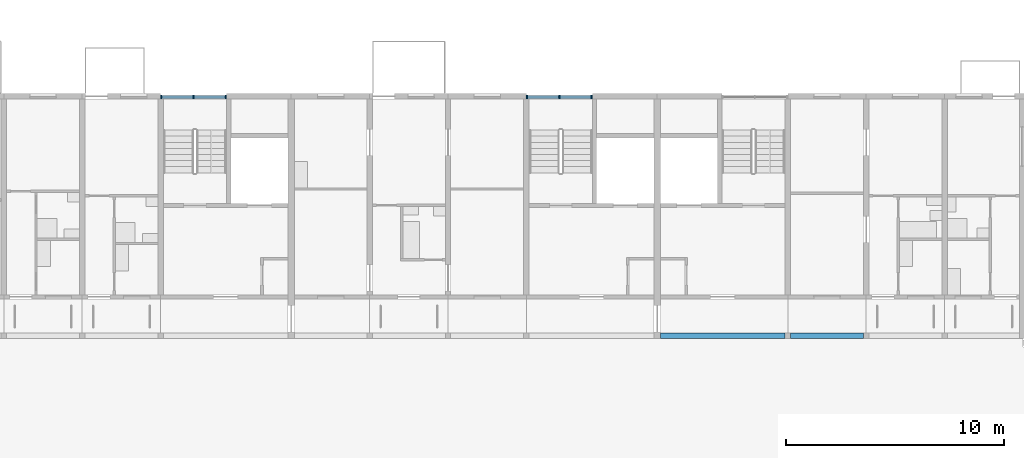
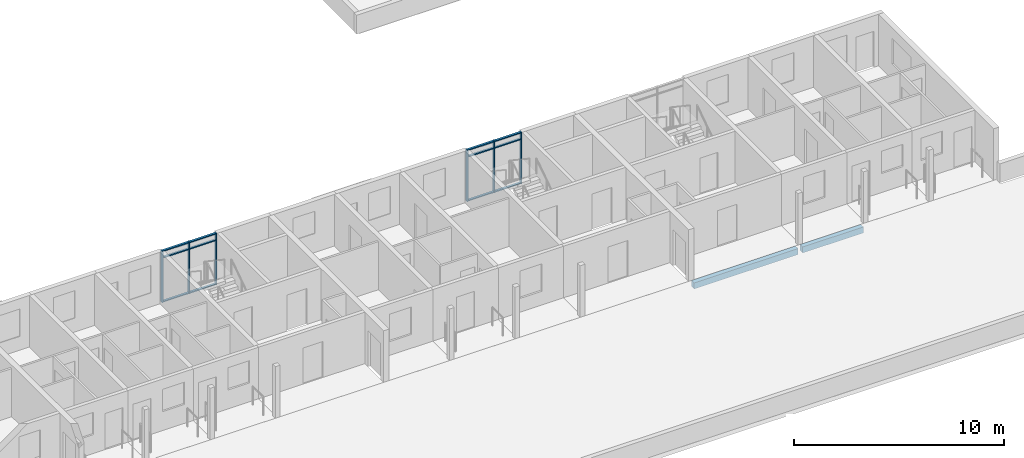
# One storey, part 13 of 115: 18 members, 2 beams, 2 elements without a shape of their own.
"""IFC4 building model written with IfcOpenShell, lengths in metres."""

from ifc_helpers import new_model, si_unit, direction, frame, origin, origin_2d, place, context, subcontext, project, spatial, rectangle, extrude, material, material_profile, profile_set, type_object, element, aggregate, save


model = new_model("IFC4")

# Units and contexts
model_context = context("Model", 3, precision=1e-05, world=origin(), true_north=direction((0.0, 1.0)))
body_context = subcontext(model_context, "Body", "Model", "MODEL_VIEW")
ifc_project = project(units=[si_unit("LENGTHUNIT", "METRE"), si_unit("AREAUNIT", "SQUARE_METRE"), si_unit("VOLUMEUNIT", "CUBIC_METRE"), si_unit("PLANEANGLEUNIT", "RADIAN"), si_unit("MASSUNIT", "GRAM", prefix="KILO")], contexts=[model_context])

# Site, building, storey
site_placement = place(None, origin())
site = spatial("IfcSite", under=ifc_project, at=site_placement, CompositionType="ELEMENT")
building_placement = place(site_placement, origin())
building = spatial("IfcBuilding", under=site, at=building_placement, Name="Ridgestep Commons", CompositionType="ELEMENT")
storey_placement = place(building_placement, frame((0.0, 0.0, 6.0)))
storey = spatial("IfcBuildingStorey", under=building, at=storey_placement, Name="L02", CompositionType="ELEMENT", Elevation=6.0)

# Beams
ifc_material_1 = material(Name="Precast concrete C40/50", Category="concrete")
ifc_material_profile_1 = material_profile(ifc_material_1, rectangle(XDim=0.25, YDim=0.35009765625, at=origin_2d()), Name="PC 250x350")
ifc_profile_set_1 = profile_set([ifc_material_profile_1], Name="Precast concrete C40/50")
beam_type = type_object("IfcBeamType", Name="Loggia edge beam 250 x 350", PredefinedType="SPANDREL", material=ifc_profile_set_1)
beam_1_placement = place(storey_placement, frame((96.14990234375, 11.875, -0.375), z_axis=(1.0, 0.0, 0.0), x_axis=(0.0, 1.0, 0.0)))
element("IfcBeam", 1, at=beam_1_placement, inside=storey, type_object=beam_type, Name="Loggia edge beam A6C L02", PredefinedType="SPANDREL", context=body_context, shape_type="SweptSolid", body=[
    extrude(rectangle(XDim=0.25, YDim=0.35009765625, at=origin_2d()), origin(), (0.0, 0.0, 1.0), 5.72509765625),
])
beam_2_placement = place(storey_placement, frame((102.125, 11.875, -0.375), z_axis=(1.0, 0.0, 0.0), x_axis=(0.0, 1.0, 0.0)))
element("IfcBeam", 2, at=beam_2_placement, inside=storey, type_object=beam_type, Name="Loggia edge beam A6T3 L02", PredefinedType="SPANDREL", context=body_context, shape_type="SweptSolid", body=[
    extrude(rectangle(XDim=0.25, YDim=0.35009765625, at=origin_2d()), origin(), (0.0, 0.0, 1.0), 3.35009765625),
])

# Curtain wall, members
ifc_material_2 = material(Name="Aluminium 6063-T6 and glass", Category="aluminium")
curtain_wall_type = type_object("IfcCurtainWallType", Name="Curtain wall stair strip", PredefinedType="NOTDEFINED", material=ifc_material_2)
curtain_wall_1_placement = place(storey_placement, origin())
curtain_wall_1 = element("IfcCurtainWall", 3, at=curtain_wall_1_placement, inside=storey, type_object=curtain_wall_type, Name="Curtain wall A4C level 02", PredefinedType="NOTDEFINED")
ifc_material_3 = material(Name="Aluminium 6063-T6", Category="aluminium")
ifc_material_profile_2 = material_profile(ifc_material_3, rectangle(XDim=0.159912109375, YDim=0.06005859375, at=origin_2d()), Name="Mullion 60 x 160")
ifc_profile_set_2 = profile_set([ifc_material_profile_2], Name="Aluminium 6063-T6")
member_type_1 = type_object("IfcMemberType", Name="Mullion 60 x 160", PredefinedType="MULLION", material=ifc_profile_set_2)
member_1_placement = place(storey_placement, frame((73.22998046875, 22.830078125, 0.0), z_axis=(0.0, 0.0, 1.0), x_axis=(0.0, 1.0, 0.0)))
member_1 = element("IfcMember", 4, at=member_1_placement, type_object=member_type_1, Name="CW1 mullion 1", PredefinedType="MULLION", context=body_context, shape_type="SweptSolid", body=[
    extrude(rectangle(XDim=0.159912109375, YDim=0.06005859375, at=origin_2d()), origin(), (0.0, 0.0, 1.0), 3.0),
])
member_2_placement = place(storey_placement, frame((74.71240234375, 22.830078125, 0.0), z_axis=(0.0, 0.0, 1.0), x_axis=(0.0, 1.0, 0.0)))
member_2 = element("IfcMember", 5, at=member_2_placement, type_object=member_type_1, Name="CW1 mullion 2", PredefinedType="MULLION", context=body_context, shape_type="SweptSolid", body=[
    extrude(rectangle(XDim=0.159912109375, YDim=0.06005859375, at=origin_2d()), origin(), (0.0, 0.0, 1.0), 3.0),
])
member_3_placement = place(storey_placement, frame((76.195068359375, 22.830078125, 0.0), z_axis=(0.0, 0.0, 1.0), x_axis=(0.0, 1.0, 0.0)))
member_3 = element("IfcMember", 6, at=member_3_placement, type_object=member_type_1, Name="CW1 mullion 3", PredefinedType="MULLION", context=body_context, shape_type="SweptSolid", body=[
    extrude(rectangle(XDim=0.159912109375, YDim=0.06005859375, at=origin_2d()), origin(), (0.0, 0.0, 1.0), 3.0),
])

curtain_wall_2_placement = place(storey_placement, origin())
curtain_wall_2 = element("IfcCurtainWall", 7, at=curtain_wall_2_placement, inside=storey, type_object=curtain_wall_type, Name="Curtain wall A5C level 02", PredefinedType="NOTDEFINED")
member_4_placement = place(storey_placement, frame((90.030029296875, 22.830078125, 0.0), z_axis=(0.0, 0.0, 1.0), x_axis=(0.0, 1.0, 0.0)))
member_4 = element("IfcMember", 8, at=member_4_placement, type_object=member_type_1, Name="CW1 mullion 1", PredefinedType="MULLION", context=body_context, shape_type="SweptSolid", body=[
    extrude(rectangle(XDim=0.159912109375, YDim=0.06005859375, at=origin_2d()), origin(), (0.0, 0.0, 1.0), 3.0),
])
member_5_placement = place(storey_placement, frame((91.512451171875, 22.830078125, 0.0), z_axis=(0.0, 0.0, 1.0), x_axis=(0.0, 1.0, 0.0)))
member_5 = element("IfcMember", 9, at=member_5_placement, type_object=member_type_1, Name="CW1 mullion 2", PredefinedType="MULLION", context=body_context, shape_type="SweptSolid", body=[
    extrude(rectangle(XDim=0.159912109375, YDim=0.06005859375, at=origin_2d()), origin(), (0.0, 0.0, 1.0), 3.0),
])
member_6_placement = place(storey_placement, frame((92.9951171875, 22.830078125, 0.0), z_axis=(0.0, 0.0, 1.0), x_axis=(0.0, 1.0, 0.0)))
member_6 = element("IfcMember", 10, at=member_6_placement, type_object=member_type_1, Name="CW1 mullion 3", PredefinedType="MULLION", context=body_context, shape_type="SweptSolid", body=[
    extrude(rectangle(XDim=0.159912109375, YDim=0.06005859375, at=origin_2d()), origin(), (0.0, 0.0, 1.0), 3.0),
])

# Member
ifc_material_4 = material(Name="Aluminium 6063-T6", Category="aluminium")
ifc_material_profile_3 = material_profile(ifc_material_4, rectangle(XDim=0.1201171875, YDim=0.06005859375, at=origin_2d()), Name="Transom 60 x 120")
ifc_profile_set_3 = profile_set([ifc_material_profile_3], Name="Aluminium 6063-T6")
member_type_2 = type_object("IfcMemberType", Name="Transom 60 x 120", PredefinedType="USERDEFINED", material=ifc_profile_set_3)
member_7_placement = place(storey_placement, frame((73.260009765625, 22.830078125, 0.030029296875), z_axis=(1.0, 0.0, 0.0), x_axis=(0.0, 1.0, 0.0)))
member_7 = element("IfcMember", 11, at=member_7_placement, type_object=member_type_2, Name="CW1 transom 1.1", ObjectType="TRANSOM", PredefinedType="USERDEFINED", context=body_context, shape_type="SweptSolid", body=[
    extrude(rectangle(XDim=0.1201171875, YDim=0.06005859375, at=origin_2d()), origin(), (0.0, 0.0, 1.0), 1.422607421875),
])

member_8_placement = place(storey_placement, frame((73.260009765625, 22.830078125, 2.590087890625), z_axis=(1.0, 0.0, 0.0), x_axis=(0.0, 1.0, 0.0)))
member_8 = element("IfcMember", 12, at=member_8_placement, type_object=member_type_2, Name="CW1 transom 1.2", ObjectType="TRANSOM", PredefinedType="USERDEFINED", context=body_context, shape_type="SweptSolid", body=[
    extrude(rectangle(XDim=0.1201171875, YDim=0.06005859375, at=origin_2d()), origin(), (0.0, 0.0, 1.0), 1.422607421875),
])

member_9_placement = place(storey_placement, frame((73.260009765625, 22.830078125, 2.969970703125), z_axis=(1.0, 0.0, 0.0), x_axis=(0.0, 1.0, 0.0)))
member_9 = element("IfcMember", 13, at=member_9_placement, type_object=member_type_2, Name="CW1 transom 1.3", ObjectType="TRANSOM", PredefinedType="USERDEFINED", context=body_context, shape_type="SweptSolid", body=[
    extrude(rectangle(XDim=0.1201171875, YDim=0.06005859375, at=origin_2d()), origin(), (0.0, 0.0, 1.0), 1.422607421875),
])

member_10_placement = place(storey_placement, frame((74.742431640625, 22.830078125, 0.030029296875), z_axis=(1.0, 0.0, 0.0), x_axis=(0.0, 1.0, 0.0)))
member_10 = element("IfcMember", 14, at=member_10_placement, type_object=member_type_2, Name="CW1 transom 2.1", ObjectType="TRANSOM", PredefinedType="USERDEFINED", context=body_context, shape_type="SweptSolid", body=[
    extrude(rectangle(XDim=0.1201171875, YDim=0.06005859375, at=origin_2d()), origin(), (0.0, 0.0, 1.0), 1.422607421875),
])

member_11_placement = place(storey_placement, frame((74.742431640625, 22.830078125, 2.590087890625), z_axis=(1.0, 0.0, 0.0), x_axis=(0.0, 1.0, 0.0)))
member_11 = element("IfcMember", 15, at=member_11_placement, type_object=member_type_2, Name="CW1 transom 2.2", ObjectType="TRANSOM", PredefinedType="USERDEFINED", context=body_context, shape_type="SweptSolid", body=[
    extrude(rectangle(XDim=0.1201171875, YDim=0.06005859375, at=origin_2d()), origin(), (0.0, 0.0, 1.0), 1.422607421875),
])

member_12_placement = place(storey_placement, frame((74.742431640625, 22.830078125, 2.969970703125), z_axis=(1.0, 0.0, 0.0), x_axis=(0.0, 1.0, 0.0)))
member_12 = element("IfcMember", 16, at=member_12_placement, type_object=member_type_2, Name="CW1 transom 2.3", ObjectType="TRANSOM", PredefinedType="USERDEFINED", context=body_context, shape_type="SweptSolid", body=[
    extrude(rectangle(XDim=0.1201171875, YDim=0.06005859375, at=origin_2d()), origin(), (0.0, 0.0, 1.0), 1.422607421875),
])

aggregate(curtain_wall_1, [member_1, member_2, member_3, member_7, member_8, member_9, member_10, member_11, member_12])

member_13_placement = place(storey_placement, frame((90.06005859375, 22.830078125, 0.030029296875), z_axis=(1.0, 0.0, 0.0), x_axis=(0.0, 1.0, 0.0)))
member_13 = element("IfcMember", 17, at=member_13_placement, type_object=member_type_2, Name="CW1 transom 1.1", ObjectType="TRANSOM", PredefinedType="USERDEFINED", context=body_context, shape_type="SweptSolid", body=[
    extrude(rectangle(XDim=0.1201171875, YDim=0.06005859375, at=origin_2d()), origin(), (0.0, 0.0, 1.0), 1.42236328125),
])

member_14_placement = place(storey_placement, frame((90.06005859375, 22.830078125, 2.590087890625), z_axis=(1.0, 0.0, 0.0), x_axis=(0.0, 1.0, 0.0)))
member_14 = element("IfcMember", 18, at=member_14_placement, type_object=member_type_2, Name="CW1 transom 1.2", ObjectType="TRANSOM", PredefinedType="USERDEFINED", context=body_context, shape_type="SweptSolid", body=[
    extrude(rectangle(XDim=0.1201171875, YDim=0.06005859375, at=origin_2d()), origin(), (0.0, 0.0, 1.0), 1.42236328125),
])

member_15_placement = place(storey_placement, frame((90.06005859375, 22.830078125, 2.969970703125), z_axis=(1.0, 0.0, 0.0), x_axis=(0.0, 1.0, 0.0)))
member_15 = element("IfcMember", 19, at=member_15_placement, type_object=member_type_2, Name="CW1 transom 1.3", ObjectType="TRANSOM", PredefinedType="USERDEFINED", context=body_context, shape_type="SweptSolid", body=[
    extrude(rectangle(XDim=0.1201171875, YDim=0.06005859375, at=origin_2d()), origin(), (0.0, 0.0, 1.0), 1.42236328125),
])

member_16_placement = place(storey_placement, frame((91.54248046875, 22.830078125, 0.030029296875), z_axis=(1.0, 0.0, 0.0), x_axis=(0.0, 1.0, 0.0)))
member_16 = element("IfcMember", 20, at=member_16_placement, type_object=member_type_2, Name="CW1 transom 2.1", ObjectType="TRANSOM", PredefinedType="USERDEFINED", context=body_context, shape_type="SweptSolid", body=[
    extrude(rectangle(XDim=0.1201171875, YDim=0.06005859375, at=origin_2d()), origin(), (0.0, 0.0, 1.0), 1.422607421875),
])

member_17_placement = place(storey_placement, frame((91.54248046875, 22.830078125, 2.590087890625), z_axis=(1.0, 0.0, 0.0), x_axis=(0.0, 1.0, 0.0)))
member_17 = element("IfcMember", 21, at=member_17_placement, type_object=member_type_2, Name="CW1 transom 2.2", ObjectType="TRANSOM", PredefinedType="USERDEFINED", context=body_context, shape_type="SweptSolid", body=[
    extrude(rectangle(XDim=0.1201171875, YDim=0.06005859375, at=origin_2d()), origin(), (0.0, 0.0, 1.0), 1.422607421875),
])

member_18_placement = place(storey_placement, frame((91.54248046875, 22.830078125, 2.969970703125), z_axis=(1.0, 0.0, 0.0), x_axis=(0.0, 1.0, 0.0)))
member_18 = element("IfcMember", 22, at=member_18_placement, type_object=member_type_2, Name="CW1 transom 2.3", ObjectType="TRANSOM", PredefinedType="USERDEFINED", context=body_context, shape_type="SweptSolid", body=[
    extrude(rectangle(XDim=0.1201171875, YDim=0.06005859375, at=origin_2d()), origin(), (0.0, 0.0, 1.0), 1.422607421875),
])

aggregate(curtain_wall_2, [member_4, member_5, member_6, member_13, member_14, member_15, member_16, member_17, member_18])

save(model, "model.ifc")
